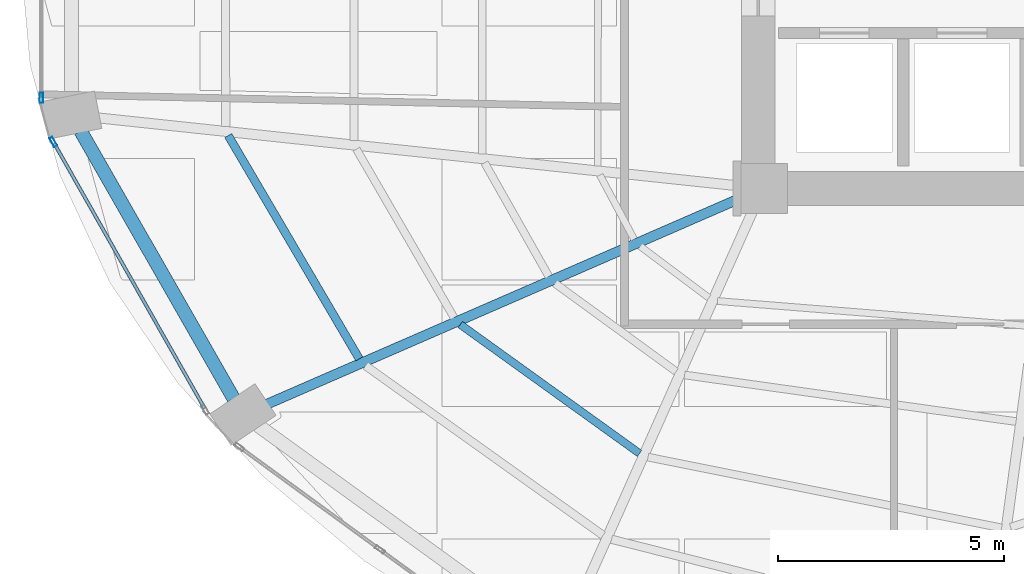
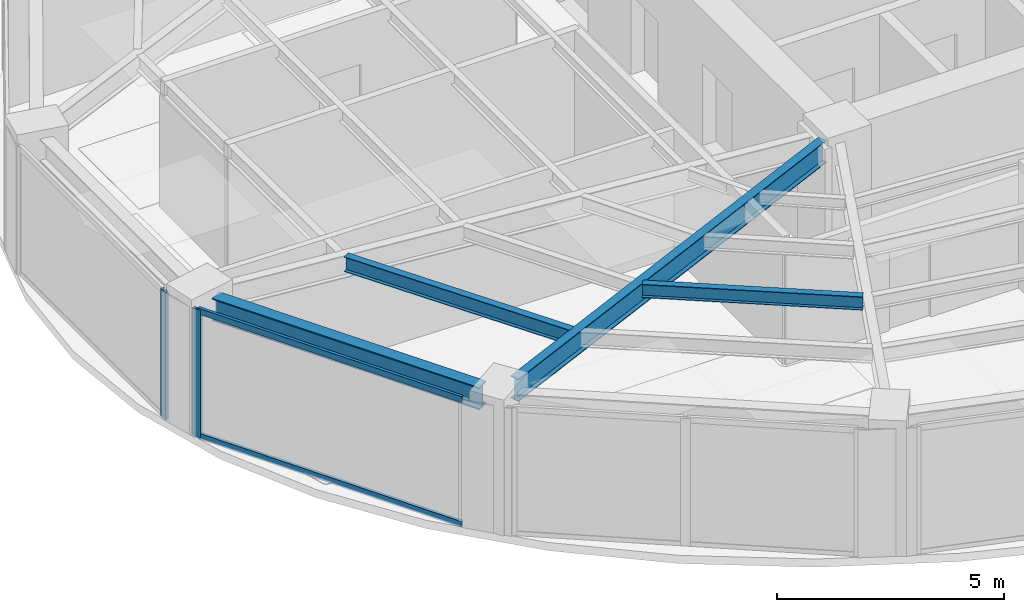
# One storey, part 3 of 23: 4 beams, 4 members, 2 elements without a shape of their own.
"""IFC4 building model written with IfcOpenShell, lengths in metres."""

from ifc_helpers import new_model, si_unit, direction, frame, origin, origin_2d, place, context, subcontext, project, spatial, hollow_rectangle, i_section, extrude, material, layer, layer_set, material_profile, profile_set, type_object, element, aggregate, save


model = new_model("IFC4")

# Units and contexts
model_context = context("Model", 3, precision=1e-05, world=origin(), true_north=direction((0.0, 1.0)))
body_context = subcontext(model_context, "Body", "Model", "MODEL_VIEW")
ifc_project = project(units=[si_unit("LENGTHUNIT", "METRE"), si_unit("AREAUNIT", "SQUARE_METRE"), si_unit("VOLUMEUNIT", "CUBIC_METRE"), si_unit("PLANEANGLEUNIT", "RADIAN"), si_unit("MASSUNIT", "GRAM", prefix="KILO")], contexts=[model_context])

# Site, building, storey
site_placement = place(None, origin())
site = spatial("IfcSite", under=ifc_project, at=site_placement, CompositionType="ELEMENT")
building_placement = place(site_placement, origin())
building = spatial("IfcBuilding", under=site, at=building_placement, Name="Lazwardi Medical Tower", CompositionType="ELEMENT")
storey_placement = place(building_placement, frame((0.0, 0.0, 89.0400390625)))
storey = spatial("IfcBuildingStorey", under=building, at=storey_placement, Name="L22", CompositionType="ELEMENT", Elevation=89.0400390625)

# Beams
ifc_material_1 = material(Name="Steel S355", Category="steel")
ifc_material_profile_1 = material_profile(ifc_material_1, i_section(OverallWidth=0.300048828125, OverallDepth=0.60009765625, WebThickness=0.015380859375, FlangeThickness=0.030029296875, at=origin_2d()), Name="HEB 600")
ifc_profile_set_1 = profile_set([ifc_material_profile_1], Name="Steel S355")
beam_type_1 = type_object("IfcBeamType", Name="BM-RB-Z2", PredefinedType="BEAM", material=ifc_profile_set_1)
beam_1_placement = place(storey_placement, frame((11.3408203125, 21.664306640625, 3.1279296875), z_axis=(0.496637551254, -0.867958030486, 0.0), x_axis=(0.867958030486, 0.496637551254, 0.0)))
element("IfcBeam", 1, at=beam_1_placement, inside=storey, type_object=beam_type_1, Name="Ring beam RB-03 B13 L22", PredefinedType="BEAM", context=body_context, shape_type="SweptSolid", body=[
    extrude(i_section(OverallWidth=0.300048828125, OverallDepth=0.60009765625, WebThickness=0.015380859375, FlangeThickness=0.030029296875, at=origin_2d()), origin(), (0.0, 0.0, 1.0), 6.801025390625),
])
ifc_material_profile_2 = material_profile(ifc_material_1, i_section(OverallWidth=0.219970703125, OverallDepth=0.60009765625, WebThickness=0.011962890625, FlangeThickness=0.01904296875, at=origin_2d()), Name="IPE 600")
ifc_profile_set_2 = profile_set([ifc_material_profile_2], Name="Steel S355")
beam_type_2 = type_object("IfcBeamType", Name="BM-RG-W1", PredefinedType="BEAM", material=ifc_profile_set_2)
beam_2_placement = place(storey_placement, frame((15.4541015625, 15.63671875, 3.1279296875), z_axis=(0.916941336121, 0.399022037127, 0.0), x_axis=(-0.399022037127, 0.916941336121, 0.0)))
element("IfcBeam", 2, at=beam_2_placement, inside=storey, type_object=beam_type_2, Name="Radial girder RG-02 R14 L22", PredefinedType="BEAM", context=body_context, shape_type="SweptSolid", body=[
    extrude(i_section(OverallWidth=0.219970703125, OverallDepth=0.60009765625, WebThickness=0.011962890625, FlangeThickness=0.01904296875, at=origin_2d()), origin(), (0.0, 0.0, 1.0), 11.40234375),
])
ifc_material_profile_3 = material_profile(ifc_material_1, i_section(OverallWidth=0.179931640625, OverallDepth=0.39990234375, WebThickness=0.008544921875, FlangeThickness=0.013427734375, at=origin_2d()), Name="IPE 400")
ifc_profile_set_3 = profile_set([ifc_material_profile_3], Name="Steel S355")
beam_type_3 = type_object("IfcBeamType", Name="BM-SJ-01", PredefinedType="JOIST", material=ifc_profile_set_3)
beam_3_placement = place(storey_placement, frame((14.597900390625, 21.56787109375, 3.22802734375), z_axis=(0.506195045201, -0.862419025888, 0.0), x_axis=(0.862419025888, 0.506195045201, 0.0)))
element("IfcBeam", 3, at=beam_3_placement, inside=storey, type_object=beam_type_3, Name="Secondary joist SJ-01 R1 B13 L22", PredefinedType="JOIST", context=body_context, shape_type="SweptSolid", body=[
    extrude(i_section(OverallWidth=0.179931640625, OverallDepth=0.39990234375, WebThickness=0.008544921875, FlangeThickness=0.013427734375, at=origin_2d()), origin(), (0.0, 0.0, 1.0), 5.71728515625),
])
ifc_material_profile_4 = material_profile(ifc_material_1, i_section(OverallWidth=0.169921875, OverallDepth=0.360107421875, WebThickness=0.008056640625, FlangeThickness=0.0126953125, at=origin_2d()), Name="IPE 360")
ifc_profile_set_4 = profile_set([ifc_material_profile_4], Name="Steel S355")
beam_type_4 = type_object("IfcBeamType", Name="BM-SJ-02", PredefinedType="JOIST", material=ifc_profile_set_4)
beam_4_placement = place(storey_placement, frame((19.721435546875, 17.395263671875, 3.248046875), z_axis=(0.811888517177, -0.583812500446, 0.0), x_axis=(0.583812500446, 0.811888517177, 0.0)))
element("IfcBeam", 4, at=beam_4_placement, inside=storey, type_object=beam_type_4, Name="Secondary joist SJ-02 R2 B14 L22", PredefinedType="JOIST", context=body_context, shape_type="SweptSolid", body=[
    extrude(i_section(OverallWidth=0.169921875, OverallDepth=0.360107421875, WebThickness=0.008056640625, FlangeThickness=0.0126953125, at=origin_2d()), origin(), (0.0, 0.0, 1.0), 4.874755859375),
])

# Curtain wall, member
ifc_material_2 = material(Name="Anodised bronze aluminium and solar control glazing", Category="aluminium")
ifc_layer = layer(ifc_material_2, 0.195068359375)
ifc_layer_set = layer_set([ifc_layer], Name="Anodised bronze aluminium and solar control glazing")
curtain_wall_type = type_object("IfcCurtainWallType", Name="CW-SYS-03", PredefinedType="NOTDEFINED", material=ifc_layer_set)
curtain_wall_1_placement = place(storey_placement, origin())
curtain_wall_1 = element("IfcCurtainWall", 5, at=curtain_wall_1_placement, inside=storey, type_object=curtain_wall_type, Name="L22 Unitised bronze curtain wall CW-03", PredefinedType="NOTDEFINED")
ifc_material_3 = material(Name="Anodised bronze aluminium", Category="aluminium")
ifc_material_profile_5 = material_profile(ifc_material_3, hollow_rectangle(XDim=0.074951171875, YDim=0.219970703125, WallThickness=0.00390625, at=origin_2d()), Name="ALU-MULLION 220x75x4")
ifc_profile_set_5 = profile_set([ifc_material_profile_5], Name="Anodised bronze aluminium")
member_type_1 = type_object("IfcMemberType", Name="CW-MUL-01", PredefinedType="MULLION", material=ifc_profile_set_5)
member_1_placement = place(storey_placement, frame((10.471923828125, 22.402587890625, 0.0), z_axis=(0.0, 0.0, 1.0), x_axis=(1.0, 0.0, 0.0)))
member_1 = element("IfcMember", 6, at=member_1_placement, type_object=member_type_1, Name="CW-03 mullion 2", PredefinedType="MULLION", context=body_context, shape_type="SweptSolid", body=[
    extrude(hollow_rectangle(XDim=0.074951171875, YDim=0.219970703125, WallThickness=0.00390625, at=origin_2d()), origin(), (0.0, 0.0, 1.0), 3.427978515625),
])
aggregate(curtain_wall_1, [member_1])

# Curtain wall, members
curtain_wall_2_placement = place(storey_placement, origin())
curtain_wall_2 = element("IfcCurtainWall", 7, at=curtain_wall_2_placement, inside=storey, type_object=curtain_wall_type, Name="L22 Unitised bronze curtain wall CW-03", PredefinedType="NOTDEFINED")
member_2_placement = place(storey_placement, frame((10.7373046875, 21.42626953125, 0.0), z_axis=(0.0, 0.0, 1.0), x_axis=(0.869687265712, 0.493603140041, 0.0)))
member_2 = element("IfcMember", 8, at=member_2_placement, type_object=member_type_1, Name="CW-03 mullion 1", PredefinedType="MULLION", context=body_context, shape_type="SweptSolid", body=[
    extrude(hollow_rectangle(XDim=0.074951171875, YDim=0.219970703125, WallThickness=0.00390625, at=origin_2d()), origin(), (0.0, 0.0, 1.0), 3.427978515625),
])
ifc_material_profile_6 = material_profile(ifc_material_3, hollow_rectangle(XDim=0.074951171875, YDim=0.159912109375, WallThickness=0.00390625, at=origin_2d()), Name="ALU-TRANSOM 160x75x4")
ifc_profile_set_6 = profile_set([ifc_material_profile_6], Name="Anodised bronze aluminium")
member_type_2 = type_object("IfcMemberType", Name="CW-TRN-01", PredefinedType="USERDEFINED", material=ifc_profile_set_6)
member_3_placement = place(storey_placement, frame((10.755859375, 21.3935546875, 0.037353515625), z_axis=(0.493614427365, -0.869680859337, 0.0), x_axis=(0.869680859337, 0.493614427365, 0.0)))
member_3 = element("IfcMember", 9, at=member_3_placement, type_object=member_type_2, Name="CW-03 transom 1.1", ObjectType="TRANSOM", PredefinedType="USERDEFINED", context=body_context, shape_type="SweptSolid", body=[
    extrude(hollow_rectangle(XDim=0.074951171875, YDim=0.159912109375, WallThickness=0.00390625, at=origin_2d()), origin(), (0.0, 0.0, 1.0), 6.72314453125),
])
member_4_placement = place(storey_placement, frame((10.755859375, 21.3935546875, 3.390380859375), z_axis=(0.493614427365, -0.869680859337, 0.0), x_axis=(0.869680859337, 0.493614427365, 0.0)))
member_4 = element("IfcMember", 10, at=member_4_placement, type_object=member_type_2, Name="CW-03 transom 1.2", ObjectType="TRANSOM", PredefinedType="USERDEFINED", context=body_context, shape_type="SweptSolid", body=[
    extrude(hollow_rectangle(XDim=0.074951171875, YDim=0.159912109375, WallThickness=0.00390625, at=origin_2d()), origin(), (0.0, 0.0, 1.0), 6.72314453125),
])
aggregate(curtain_wall_2, [member_2, member_3, member_4])

save(model, "model.ifc")
